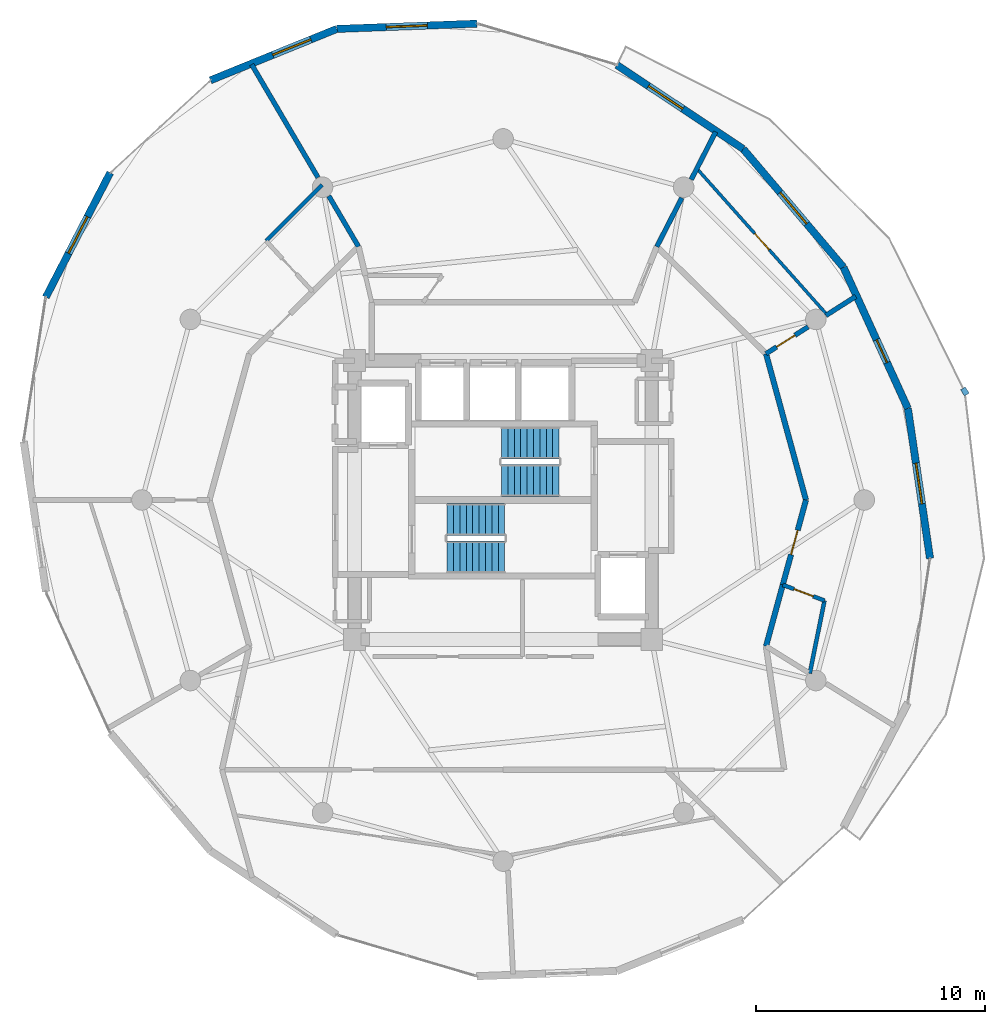
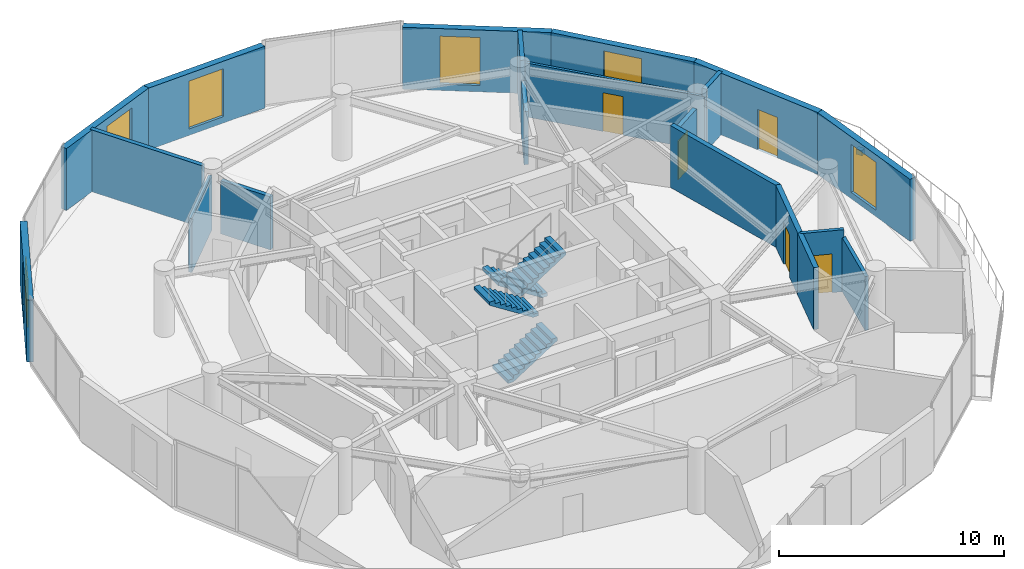
# One storey, part 21 of 24: 20 walls, 6 windows, 5 doors, 4 stair flights, 1 discrete accessory, 11 openings, 2 elements without a shape of their own.
"""IFC4 building model written with IfcOpenShell, lengths in metres."""

from ifc_helpers import new_model, si_unit, direction, frame, frame_2d, origin, origin_2d, place, context, subcontext, project, spatial, polyline, rectangle, outline, extrude, material, layer, layer_set, type_object, element, fill, aggregate, save


model = new_model("IFC4")

# Units and contexts
model_context = context("Model", 3, precision=1e-05, world=origin(), true_north=direction((0.0, 1.0)))
body_context = subcontext(model_context, "Body", "Model", "MODEL_VIEW")
ifc_project = project(units=[si_unit("LENGTHUNIT", "METRE"), si_unit("AREAUNIT", "SQUARE_METRE"), si_unit("VOLUMEUNIT", "CUBIC_METRE"), si_unit("PLANEANGLEUNIT", "RADIAN"), si_unit("MASSUNIT", "GRAM", prefix="KILO")], contexts=[model_context])

# Site, building, storey
site_placement = place(None, origin())
site = spatial("IfcSite", under=ifc_project, at=site_placement, CompositionType="ELEMENT")
building_placement = place(site_placement, origin())
building = spatial("IfcBuilding", under=site, at=building_placement, Name="Solvirekh Grand Hotel", CompositionType="ELEMENT")
storey_placement = place(building_placement, frame((0.0, 0.0, 184.0)))
storey = spatial("IfcBuildingStorey", under=building, at=storey_placement, Name="L47", CompositionType="ELEMENT", Elevation=184.0)

# Wall, opening, window
ifc_material_1 = material(Name="Precast concrete C45/55", Category="concrete")
ifc_layer_1 = layer(ifc_material_1, 0.320068359375)
ifc_layer_set_1 = layer_set([ifc_layer_1], Name="Precast concrete C45/55")
wall_type_1 = type_object("IfcWallType", Name="ExtLobbyWall_RC320", PredefinedType="SOLIDWALL", material=ifc_layer_set_1)
wall_1_placement = place(storey_placement, frame((17.7080078125, 4.008056640625, 0.0), z_axis=(0.0, 0.0, 1.0), x_axis=(0.146280717265, -0.989243120652, 0.0)))
wall_1 = element("IfcWall", 1, at=wall_1_placement, inside=storey, type_object=wall_type_1, Name="L47 exterior structural wall chord 4", PredefinedType="SOLIDWALL", context=body_context, shape_type="SweptSolid", body=[
    extrude(rectangle(XDim=6.637451171875, YDim=0.320068359375, at=frame_2d((3.31884765625, 0.0))), origin(), (0.0, 0.0, 1.0), 3.360107421875),
])
opening_1_placement = place(wall_1_placement, frame((2.4189453125, 0.0, 0.35009765625)))
opening_1 = element("IfcOpeningElement", 2, at=opening_1_placement, cuts=wall_1, Name="Opening W02", PredefinedType="OPENING", context=body_context, shape_type="SweptSolid", body=[
    extrude(rectangle(XDim=1.800048828125, YDim=2.60009765625, at=frame_2d((0.89990234375, 1.300048828125))), frame((0.0, 0.169921875, 0.0), z_axis=(0.0, -1.0, 0.0), x_axis=(1.0, 0.0, 0.0)), (0.0, 0.0, 1.0), 0.340087890625),
])
ifc_material_2 = material(Name="Low-E Tinted Bronze Laminated Glass", Category="aluminium")
window_type = type_object("IfcWindowType", Name="Win_LobbyExt_1800X2600", PartitioningType="SINGLE_PANEL", PredefinedType="WINDOW", material=ifc_material_2)
window_1_placement = place(opening_1_placement, origin())
window_1 = element("IfcWindow", 3, at=window_1_placement, inside=storey, type_object=window_type, Name="L47 panoramic bronze-framed window 4", OverallHeight=2.60009765625, OverallWidth=1.800048828125, PartitioningType="SINGLE_PANEL", PredefinedType="WINDOW", context=body_context, shape_type="SweptSolid", body=[
    extrude(rectangle(XDim=1.800048828125, YDim=2.60009765625, at=frame_2d((0.89990234375, 1.300048828125))), frame((0.0, 0.030029296875, 0.0), z_axis=(0.0, -1.0, 0.0), x_axis=(1.0, 0.0, 0.0)), (0.0, 0.0, 1.0), 0.06005859375),
])
fill(opening_1, window_1)

# Wall, opening, door
wall_2_placement = place(storey_placement, frame((14.89208984375, 10.180908203125, 0.0), z_axis=(0.0, 0.0, 1.0), x_axis=(0.415033398102, -0.909806176314, 0.0)))
wall_2 = element("IfcWall", 4, at=wall_2_placement, inside=storey, type_object=wall_type_1, Name="L47 exterior structural wall chord 5", PredefinedType="SOLIDWALL", context=body_context, shape_type="SweptSolid", body=[
    extrude(rectangle(XDim=6.784912109375, YDim=0.320068359375, at=frame_2d((3.392578125, 0.0))), origin(), (0.0, 0.0, 1.0), 3.360107421875),
])
opening_2_placement = place(wall_2_placement, frame((3.48291015625, 0.0, 0.0)))
opening_2 = element("IfcOpeningElement", 5, at=opening_2_placement, cuts=wall_2, Name="Opening D03", PredefinedType="OPENING", context=body_context, shape_type="SweptSolid", body=[
    extrude(rectangle(XDim=1.10009765625, YDim=2.199951171875, at=frame_2d((0.550048828125, 1.10009765625))), frame((0.0, 0.169921875, 0.0), z_axis=(0.0, -1.0, 0.0), x_axis=(1.0, 0.0, 0.0)), (0.0, 0.0, 1.0), 0.340087890625),
])
ifc_material_3 = material(Name="Anodized Bronze Aluminium 6063-T6", Category="aluminium")
door_type_1 = type_object("IfcDoorType", Name="Door_ExtBalcony_1100X2200", OperationType="NOTDEFINED", PredefinedType="DOOR", material=ifc_material_3)
door_1_placement = place(opening_2_placement, origin())
door_1 = element("IfcDoor", 6, at=door_1_placement, inside=storey, type_object=door_type_1, Name="L47 Crescent balcony glazed door (5)", OperationType="SINGLE_SWING_LEFT", OverallHeight=2.199951171875, OverallWidth=1.10009765625, PredefinedType="DOOR", context=body_context, shape_type="SweptSolid", body=[
    extrude(rectangle(XDim=1.10009765625, YDim=2.199951171875, at=frame_2d((0.550048828125, 1.10009765625))), frame((0.0, 0.02490234375, 0.0), z_axis=(0.0, -1.0, 0.0), x_axis=(1.0, 0.0, 0.0)), (0.0, 0.0, 1.0), 0.050048828125),
])
fill(opening_2, door_1)

# Wall, opening, window
wall_3_placement = place(storey_placement, frame((10.506103515625, 15.35693359375, 0.0), z_axis=(0.0, 0.0, 1.0), x_axis=(0.646480871515, -0.762930195212, 0.0)))
wall_3 = element("IfcWall", 7, at=wall_3_placement, inside=storey, type_object=wall_type_1, Name="L47 exterior structural wall chord 6", PredefinedType="SOLIDWALL", context=body_context, shape_type="SweptSolid", body=[
    extrude(rectangle(XDim=6.784423828125, YDim=0.320068359375, at=frame_2d((3.39208984375, 0.0))), origin(), (0.0, 0.0, 1.0), 3.360107421875),
])
opening_3_placement = place(wall_3_placement, frame((2.491943359375, 0.0, 0.35009765625)))
opening_3 = element("IfcOpeningElement", 8, at=opening_3_placement, cuts=wall_3, Name="Opening W02", PredefinedType="OPENING", context=body_context, shape_type="SweptSolid", body=[
    extrude(rectangle(XDim=1.800048828125, YDim=2.60009765625, at=frame_2d((0.89990234375, 1.300048828125))), frame((0.0, 0.169921875, 0.0), z_axis=(0.0, -1.0, 0.0), x_axis=(1.0, 0.0, 0.0)), (0.0, 0.0, 1.0), 0.340087890625),
])
window_2_placement = place(opening_3_placement, origin())
window_2 = element("IfcWindow", 9, at=window_2_placement, inside=storey, type_object=window_type, Name="L47 panoramic bronze-framed window 6", OverallHeight=2.60009765625, OverallWidth=1.800048828125, PartitioningType="SINGLE_PANEL", PredefinedType="WINDOW", context=body_context, shape_type="SweptSolid", body=[
    extrude(rectangle(XDim=1.800048828125, YDim=2.60009765625, at=frame_2d((0.89990234375, 1.300048828125))), frame((0.0, 0.030029296875, 0.0), z_axis=(0.0, -1.0, 0.0), x_axis=(1.0, 0.0, 0.0)), (0.0, 0.0, 1.0), 0.06005859375),
])
fill(opening_3, window_2)

wall_4_placement = place(storey_placement, frame((4.97802734375, 19.031005859375, 0.0), z_axis=(0.0, 0.0, 1.0), x_axis=(0.832836009007, -0.553519811842, 0.0)))
wall_4 = element("IfcWall", 10, at=wall_4_placement, inside=storey, type_object=wall_type_1, Name="L47 exterior structural wall chord 7", PredefinedType="SOLIDWALL", context=body_context, shape_type="SweptSolid", body=[
    extrude(rectangle(XDim=6.6376953125, YDim=0.320068359375, at=frame_2d((3.31884765625, 0.0))), origin(), (0.0, 0.0, 1.0), 3.360107421875),
])
opening_4_placement = place(wall_4_placement, frame((1.658935546875, 0.0, 0.35009765625)))
opening_4 = element("IfcOpeningElement", 11, at=opening_4_placement, cuts=wall_4, Name="Opening W02", PredefinedType="OPENING", context=body_context, shape_type="SweptSolid", body=[
    extrude(rectangle(XDim=1.800048828125, YDim=2.60009765625, at=frame_2d((0.89990234375, 1.300048828125))), frame((0.0, 0.169921875, 0.0), z_axis=(0.0, -1.0, 0.0), x_axis=(1.0, 0.0, 0.0)), (0.0, 0.0, 1.0), 0.340087890625),
])
window_3_placement = place(opening_4_placement, origin())
window_3 = element("IfcWindow", 12, at=window_3_placement, inside=storey, type_object=window_type, Name="L47 panoramic bronze-framed window 7", OverallHeight=2.60009765625, OverallWidth=1.800048828125, PartitioningType="SINGLE_PANEL", PredefinedType="WINDOW", context=body_context, shape_type="SweptSolid", body=[
    extrude(rectangle(XDim=1.800048828125, YDim=2.60009765625, at=frame_2d((0.89990234375, 1.300048828125))), frame((0.0, 0.030029296875, 0.0), z_axis=(0.0, -1.0, 0.0), x_axis=(1.0, 0.0, 0.0)), (0.0, 0.0, 1.0), 0.06005859375),
])
fill(opening_4, window_3)

wall_5_placement = place(storey_placement, frame((-7.277099609375, 20.611083984375, 0.0), z_axis=(0.0, 0.0, 1.0), x_axis=(0.999296553101, 0.037501986097, 0.0)))
wall_5 = element("IfcWall", 13, at=wall_5_placement, inside=storey, type_object=wall_type_1, Name="L47 exterior structural wall chord 9", PredefinedType="SOLIDWALL", context=body_context, shape_type="SweptSolid", body=[
    extrude(rectangle(XDim=6.132568359375, YDim=0.320068359375, at=frame_2d((3.06640625, 0.0))), origin(), (0.0, 0.0, 1.0), 3.360107421875),
])
opening_5_placement = place(wall_5_placement, frame((2.166015625, 0.0, 0.35009765625)))
opening_5 = element("IfcOpeningElement", 14, at=opening_5_placement, cuts=wall_5, Name="Opening W02", PredefinedType="OPENING", context=body_context, shape_type="SweptSolid", body=[
    extrude(rectangle(XDim=1.800048828125, YDim=2.60009765625, at=frame_2d((0.89990234375, 1.300048828125))), frame((0.0, 0.169921875, 0.0), z_axis=(0.0, -1.0, 0.0), x_axis=(1.0, 0.0, 0.0)), (0.0, 0.0, 1.0), 0.340087890625),
])
window_4_placement = place(opening_5_placement, origin())
window_4 = element("IfcWindow", 15, at=window_4_placement, inside=storey, type_object=window_type, Name="L47 panoramic bronze-framed window 9", OverallHeight=2.60009765625, OverallWidth=1.800048828125, PartitioningType="SINGLE_PANEL", PredefinedType="WINDOW", context=body_context, shape_type="SweptSolid", body=[
    extrude(rectangle(XDim=1.800048828125, YDim=2.60009765625, at=frame_2d((0.89990234375, 1.300048828125))), frame((0.0, 0.030029296875, 0.0), z_axis=(0.0, -1.0, 0.0), x_axis=(1.0, 0.0, 0.0)), (0.0, 0.0, 1.0), 0.06005859375),
])
fill(opening_5, window_4)

wall_6_placement = place(storey_placement, frame((-12.803955078125, 18.364013671875, 0.0), z_axis=(0.0, 0.0, 1.0), x_axis=(0.926362198949, 0.376633875745, 0.0)))
wall_6 = element("IfcWall", 16, at=wall_6_placement, inside=storey, type_object=wall_type_1, Name="L47 exterior structural wall chord 10", PredefinedType="SOLIDWALL", context=body_context, shape_type="SweptSolid", body=[
    extrude(rectangle(XDim=5.96630859375, YDim=0.320068359375, at=frame_2d((2.983154296875, 0.0))), origin(), (0.0, 0.0, 1.0), 3.360107421875),
])
opening_6_placement = place(wall_6_placement, frame((2.94189453125, 0.0, 0.35009765625)))
opening_6 = element("IfcOpeningElement", 17, at=opening_6_placement, cuts=wall_6, Name="Opening W02", PredefinedType="OPENING", context=body_context, shape_type="SweptSolid", body=[
    extrude(rectangle(XDim=1.800048828125, YDim=2.60009765625, at=frame_2d((0.89990234375, 1.300048828125))), frame((0.0, 0.169921875, 0.0), z_axis=(0.0, -1.0, 0.0), x_axis=(1.0, 0.0, 0.0)), (0.0, 0.0, 1.0), 0.340087890625),
])
window_5_placement = place(opening_6_placement, origin())
window_5 = element("IfcWindow", 18, at=window_5_placement, inside=storey, type_object=window_type, Name="L47 panoramic bronze-framed window 10", OverallHeight=2.60009765625, OverallWidth=1.800048828125, PartitioningType="SINGLE_PANEL", PredefinedType="WINDOW", context=body_context, shape_type="SweptSolid", body=[
    extrude(rectangle(XDim=1.800048828125, YDim=2.60009765625, at=frame_2d((0.89990234375, 1.300048828125))), frame((0.0, 0.030029296875, 0.0), z_axis=(0.0, -1.0, 0.0), x_axis=(1.0, 0.0, 0.0)), (0.0, 0.0, 1.0), 0.06005859375),
])
fill(opening_6, window_5)

wall_7_placement = place(storey_placement, frame((-20.008056640625, 8.873046875, 0.0), z_axis=(0.0, 0.0, 1.0), x_axis=(0.459451082053, 0.888203075428, 0.0)))
wall_7 = element("IfcWall", 19, at=wall_7_placement, inside=storey, type_object=wall_type_1, Name="L47 exterior structural wall chord 12", PredefinedType="SOLIDWALL", context=body_context, shape_type="SweptSolid", body=[
    extrude(rectangle(XDim=6.131591796875, YDim=0.320068359375, at=frame_2d((3.06591796875, 0.0))), origin(), (0.0, 0.0, 1.0), 3.360107421875),
])
opening_7_placement = place(wall_7_placement, frame((2.166015625, 0.0, 0.35009765625)))
opening_7 = element("IfcOpeningElement", 20, at=opening_7_placement, cuts=wall_7, Name="Opening W02", PredefinedType="OPENING", context=body_context, shape_type="SweptSolid", body=[
    extrude(rectangle(XDim=1.800048828125, YDim=2.60009765625, at=frame_2d((0.89990234375, 1.300048828125))), frame((0.0, 0.169921875, 0.0), z_axis=(0.0, -1.0, 0.0), x_axis=(1.0, 0.0, 0.0)), (0.0, 0.0, 1.0), 0.340087890625),
])
window_6_placement = place(opening_7_placement, origin())
window_6 = element("IfcWindow", 21, at=window_6_placement, inside=storey, type_object=window_type, Name="L47 panoramic bronze-framed window 12", OverallHeight=2.60009765625, OverallWidth=1.800048828125, PartitioningType="SINGLE_PANEL", PredefinedType="WINDOW", context=body_context, shape_type="SweptSolid", body=[
    extrude(rectangle(XDim=1.800048828125, YDim=2.60009765625, at=frame_2d((0.89990234375, 1.300048828125))), frame((0.0, 0.030029296875, 0.0), z_axis=(0.0, -1.0, 0.0), x_axis=(1.0, 0.0, 0.0)), (0.0, 0.0, 1.0), 0.06005859375),
])
fill(opening_7, window_6)

# Walls
ifc_material_4 = material(Name="Acoustic Gypsum Partition Assembly")
ifc_layer_2 = layer(ifc_material_4, 0.239990234375)
ifc_layer_set_2 = layer_set([ifc_layer_2], Name="Acoustic Gypsum Partition Assembly")
wall_type_2 = type_object("IfcWallType", Name="Part_Corridor_240", PredefinedType="PARTITIONING", material=ifc_layer_set_2)
wall_8_placement = place(storey_placement, frame((11.501953125, -6.39990234375, 0.0), z_axis=(0.0, 0.0, 1.0), x_axis=(0.263465836707, 0.964668727019, 0.0)))
element("IfcWall", 22, at=wall_8_placement, inside=storey, type_object=wall_type_2, Name="L47 En-suite Bathroom 4903 corridor backing wall", PredefinedType="PARTITIONING", context=body_context, shape_type="SweptSolid", body=[
    extrude(rectangle(XDim=2.786376953125, YDim=0.239990234375, at=frame_2d((1.39306640625, 0.0))), origin(), (0.0, 0.0, 1.0), 3.360107421875),
])
wall_9_placement = place(storey_placement, frame((13.25, 0.0, 0.0), z_axis=(0.0, 0.0, 1.0), x_axis=(-0.263484816116, 0.96466354325, 0.0)))
element("IfcWall", 23, at=wall_9_placement, inside=storey, type_object=wall_type_2, Name="L47 Diplomatic Suite 4903 Living Room corridor wall 1", PredefinedType="PARTITIONING", context=body_context, shape_type="SweptSolid", body=[
    extrude(rectangle(XDim=6.63427734375, YDim=0.239990234375, at=frame_2d((3.317138671875, 0.0))), origin(), (0.0, 0.0, 1.0), 3.360107421875),
])

# Wall, opening, door
wall_10_placement = place(storey_placement, frame((12.236083984375, -3.7119140625, 0.0), z_axis=(0.0, 0.0, 1.0), x_axis=(0.263498559894, 0.964659789218, 0.0)))
wall_10 = element("IfcWall", 24, at=wall_10_placement, inside=storey, type_object=wall_type_2, Name="L47 Diplomatic Suite 4903 Living Room entrance wall", PredefinedType="PARTITIONING", context=body_context, shape_type="SweptSolid", body=[
    extrude(rectangle(XDim=3.847900390625, YDim=0.239990234375, at=frame_2d((1.923828125, 0.0))), origin(), (0.0, 0.0, 1.0), 3.360107421875),
])
opening_8_placement = place(wall_10_placement, frame((1.3740234375, 0.0, 0.0)))
opening_8 = element("IfcOpeningElement", 25, at=opening_8_placement, cuts=wall_10, Name="Opening D08", PredefinedType="OPENING", context=body_context, shape_type="SweptSolid", body=[
    extrude(rectangle(XDim=1.10009765625, YDim=2.300048828125, at=frame_2d((0.550048828125, 1.14990234375))), frame((0.0, 0.1298828125, 0.0), z_axis=(0.0, -1.0, 0.0), x_axis=(1.0, 0.0, 0.0)), (0.0, 0.0, 1.0), 0.260009765625),
])
ifc_material_5 = material(Name="Fire-Rated Steel Door Assembly", Category="steel")
door_type_2 = type_object("IfcDoorType", Name="Door_SuiteEntry_1100X2300", OperationType="NOTDEFINED", PredefinedType="DOOR", material=ifc_material_5)
door_2_placement = place(opening_8_placement, origin())
door_2 = element("IfcDoor", 26, at=door_2_placement, inside=storey, type_object=door_type_2, Name="L47 Diplomatic Suite 4903 Living Room entrance door", OperationType="SINGLE_SWING_RIGHT", OverallHeight=2.300048828125, OverallWidth=1.10009765625, PredefinedType="DOOR", context=body_context, shape_type="SweptSolid", body=[
    extrude(rectangle(XDim=1.10009765625, YDim=2.300048828125, at=frame_2d((0.550048828125, 1.14990234375))), frame((0.0, 0.02490234375, 0.0), z_axis=(0.0, -1.0, 0.0), x_axis=(1.0, 0.0, 0.0)), (0.0, 0.0, 1.0), 0.050048828125),
])
fill(opening_8, door_2)

ifc_layer_3 = layer(ifc_material_4, 0.135009765625)
ifc_layer_set_3 = layer_set([ifc_layer_3], Name="Acoustic Gypsum Partition Assembly")
wall_type_3 = type_object("IfcWallType", Name="Part_RoomInt_135", PredefinedType="PARTITIONING", material=ifc_layer_set_3)
wall_11_placement = place(storey_placement, frame((14.172119140625, 8.10498046875, 0.0), z_axis=(0.0, 0.0, 1.0), x_axis=(-0.664942198266, 0.74689482055, 0.0)))
wall_11 = element("IfcWall", 27, at=wall_11_placement, inside=storey, type_object=wall_type_3, Name="L47 Diplomatic Suite 4903 Suite Foyer bedroom screen wall", PredefinedType="PARTITIONING", context=body_context, shape_type="SweptSolid", body=[
    extrude(rectangle(XDim=8.564697265625, YDim=0.135009765625, at=frame_2d((4.2822265625, 0.0))), origin(), (0.0, 0.0, 1.0), 2.928955078125),
])
opening_9_placement = place(wall_11_placement, frame((3.806884765625, 0.0, 0.0)))
opening_9 = element("IfcOpeningElement", 28, at=opening_9_placement, cuts=wall_11, Name="Opening D10", PredefinedType="OPENING", context=body_context, shape_type="SweptSolid", body=[
    extrude(rectangle(XDim=0.949951171875, YDim=2.10009765625, at=frame_2d((0.47509765625, 1.050048828125))), frame((0.0, 0.07763671875, 0.0), z_axis=(0.0, -1.0, 0.0), x_axis=(1.0, 0.0, 0.0)), (0.0, 0.0, 1.0), 0.155029296875),
])
door_type_3 = type_object("IfcDoorType", Name="Door_RoomInt_950X2100", OperationType="NOTDEFINED", PredefinedType="DOOR", material=ifc_material_3)
door_3_placement = place(opening_9_placement, origin())
door_3 = element("IfcDoor", 29, at=door_3_placement, inside=storey, type_object=door_type_3, Name="L47 Diplomatic Suite 4903 Suite Foyer master bedroom door", OperationType="SINGLE_SWING_RIGHT", OverallHeight=2.10009765625, OverallWidth=0.949951171875, PredefinedType="DOOR", context=body_context, shape_type="SweptSolid", body=[
    extrude(rectangle(XDim=0.949951171875, YDim=2.10009765625, at=frame_2d((0.47509765625, 1.050048828125))), frame((0.0, 0.02490234375, 0.0), z_axis=(0.0, -1.0, 0.0), x_axis=(1.0, 0.0, 0.0)), (0.0, 0.0, 1.0), 0.050048828125),
])
fill(opening_9, door_3)

ifc_layer_4 = layer(ifc_material_4, 0.2099609375)
ifc_layer_set_4 = layer_set([ifc_layer_4], Name="Acoustic Gypsum Partition Assembly")
wall_type_4 = type_object("IfcWallType", Name="Part_SuiteDemise_210", PredefinedType="PARTITIONING", material=ifc_layer_set_4)
wall_12_placement = place(storey_placement, frame((11.501953125, 6.39990234375, 0.0), z_axis=(0.0, 0.0, 1.0), x_axis=(0.842739917801, 0.538320936752, 0.0)))
wall_12 = element("IfcWall", 30, at=wall_12_placement, inside=storey, type_object=wall_type_4, Name="L47 suite radial wall 2 (A)", PredefinedType="PARTITIONING", context=body_context, shape_type="SweptSolid", body=[
    extrude(rectangle(XDim=2.1845703125, YDim=0.2099609375, at=frame_2d((1.09228515625, 0.0))), origin(), (0.0, 0.0, 1.0), 2.876953125),
])
opening_10_placement = place(wall_12_placement, frame((0.550048828125, 0.0, 0.0)))
opening_10 = element("IfcOpeningElement", 31, at=opening_10_placement, cuts=wall_12, Name="Opening D10", PredefinedType="OPENING", context=body_context, shape_type="SweptSolid", body=[
    extrude(rectangle(XDim=0.949951171875, YDim=2.10009765625, at=frame_2d((0.47509765625, 1.050048828125))), frame((0.0, 0.114990234375, 0.0), z_axis=(0.0, -1.0, 0.0), x_axis=(1.0, 0.0, 0.0)), (0.0, 0.0, 1.0), 0.22998046875),
])
door_4_placement = place(opening_10_placement, origin())
door_4 = element("IfcDoor", 32, at=door_4_placement, inside=storey, type_object=door_type_3, Name="L47 Diplomatic Suite 4903 Suite Foyer suite connecting door", OperationType="SINGLE_SWING_LEFT", OverallHeight=2.10009765625, OverallWidth=0.949951171875, PredefinedType="DOOR", context=body_context, shape_type="SweptSolid", body=[
    extrude(rectangle(XDim=0.949951171875, YDim=2.10009765625, at=frame_2d((0.47509765625, 1.050048828125))), frame((0.0, 0.02490234375, 0.0), z_axis=(0.0, -1.0, 0.0), x_axis=(1.0, 0.0, 0.0)), (0.0, 0.0, 1.0), 0.050048828125),
])
fill(opening_10, door_4)

# Walls
wall_13_placement = place(storey_placement, frame((14.1201171875, 8.072021484375, 0.0), z_axis=(0.0, 0.0, 1.0), x_axis=(0.84277351824, 0.538268331739, 0.0)))
element("IfcWall", 33, at=wall_13_placement, inside=storey, type_object=wall_type_4, Name="L47 suite radial wall 2 (B)", PredefinedType="PARTITIONING", context=body_context, shape_type="SweptSolid", body=[
    extrude(rectangle(XDim=1.552978515625, YDim=0.2099609375, at=frame_2d((0.7763671875, 0.0))), origin(), (0.0, 0.0, 1.0), 3.360107421875),
])
wall_14_placement = place(storey_placement, frame((6.72509765625, 11.0849609375, 0.0), z_axis=(0.0, 0.0, 1.0), x_axis=(0.456025303107, 0.889966810014, 0.0)))
element("IfcWall", 34, at=wall_14_placement, inside=storey, type_object=wall_type_4, Name="L47 suite radial wall 3 (A)", PredefinedType="PARTITIONING", context=body_context, shape_type="SweptSolid", body=[
    extrude(rectangle(XDim=2.39892578125, YDim=0.2099609375, at=frame_2d((1.199462890625, 0.0))), origin(), (0.0, 0.0, 1.0), 2.876953125),
])
wall_15_placement = place(storey_placement, frame((8.22900390625, 14.01904296875, 0.0), z_axis=(0.0, 0.0, 1.0), x_axis=(0.456209070118, 0.889872622538, 0.0)))
element("IfcWall", 35, at=wall_15_placement, inside=storey, type_object=wall_type_4, Name="L47 suite radial wall 3 (B)", PredefinedType="PARTITIONING", context=body_context, shape_type="SweptSolid", body=[
    extrude(rectangle(XDim=2.349853515625, YDim=0.2099609375, at=frame_2d((1.1748046875, 0.0))), origin(), (0.0, 0.0, 1.0), 3.360107421875),
])
wall_16_placement = place(storey_placement, frame((-6.324951171875, 11.0849609375, 0.0), z_axis=(0.0, 0.0, 1.0), x_axis=(-0.506285052897, 0.862366189744, 0.0)))
element("IfcWall", 36, at=wall_16_placement, inside=storey, type_object=wall_type_4, Name="L47 suite radial wall 5 (A)", PredefinedType="PARTITIONING", context=body_context, shape_type="SweptSolid", body=[
    extrude(rectangle(XDim=2.56982421875, YDim=0.2099609375, at=frame_2d((1.284912109375, 0.0))), origin(), (0.0, 0.0, 1.0), 2.876953125),
])
wall_17_placement = place(storey_placement, frame((-8.09912109375, 14.10888671875, 0.0), z_axis=(0.0, 0.0, 1.0), x_axis=(-0.506111753197, 0.862467908548, 0.0)))
element("IfcWall", 37, at=wall_17_placement, inside=storey, type_object=wall_type_4, Name="L47 suite radial wall 5 (B)", PredefinedType="PARTITIONING", context=body_context, shape_type="SweptSolid", body=[
    extrude(rectangle(XDim=5.733642578125, YDim=0.2099609375, at=frame_2d((2.86669921875, 0.0))), origin(), (0.0, 0.0, 1.0), 3.360107421875),
])
ifc_layer_5 = layer(ifc_material_4, 0.175048828125)
ifc_layer_set_5 = layer_set([ifc_layer_5], Name="Acoustic Gypsum Partition Assembly")
wall_type_5 = type_object("IfcWallType", Name="Plumb_Ensuite_175", PredefinedType="PLUMBINGWALL", material=ifc_layer_set_5)
wall_18_placement = place(storey_placement, frame((-7.9150390625, 13.7939453125, 0.0), z_axis=(0.0, 0.0, 1.0), x_axis=(-0.70594646808, -0.708265193416, 0.0)))
element("IfcWall", 38, at=wall_18_placement, inside=storey, type_object=wall_type_5, Name="L47 En-suite Bathroom 4902 outer plumbing wall", PredefinedType="PLUMBINGWALL", context=body_context, shape_type="SweptSolid", body=[
    extrude(rectangle(XDim=3.474609375, YDim=0.175048828125, at=frame_2d((1.7373046875, 0.0))), origin(), (0.0, 0.0, 1.0), 2.928955078125),
])
wall_19_placement = place(storey_placement, frame((13.4169921875, -7.587890625, 0.0), z_axis=(0.0, 0.0, 1.0), x_axis=(0.198368094192, 0.98012759333, 0.0)))
element("IfcWall", 39, at=wall_19_placement, inside=storey, type_object=wall_type_5, Name="L47 En-suite Bathroom 4903 outer plumbing wall", PredefinedType="PLUMBINGWALL", context=body_context, shape_type="SweptSolid", body=[
    extrude(rectangle(XDim=3.251708984375, YDim=0.175048828125, at=frame_2d((1.6259765625, 0.0))), origin(), (0.0, 0.0, 1.0), 2.928955078125),
])

# Wall, opening, door
wall_20_placement = place(storey_placement, frame((12.236083984375, -3.7119140625, 0.0), z_axis=(0.0, 0.0, 1.0), x_axis=(0.935612633934, -0.353028326375, 0.0)))
wall_20 = element("IfcWall", 40, at=wall_20_placement, inside=storey, type_object=wall_type_5, Name="L47 En-suite Bathroom 4903 entry plumbing wall", PredefinedType="PLUMBINGWALL", context=body_context, shape_type="SweptSolid", body=[
    extrude(rectangle(XDim=1.95166015625, YDim=0.175048828125, at=frame_2d((0.975830078125, 0.0))), origin(), (0.0, 0.0, 1.0), 3.360107421875),
])
opening_11_placement = place(wall_20_placement, frame((0.52587890625, 0.0, 0.0)))
opening_11 = element("IfcOpeningElement", 41, at=opening_11_placement, cuts=wall_20, Name="Opening D09", PredefinedType="OPENING", context=body_context, shape_type="SweptSolid", body=[
    extrude(rectangle(XDim=0.89990234375, YDim=2.10009765625, at=frame_2d((0.449951171875, 1.050048828125))), frame((0.0, 0.09765625, 0.0), z_axis=(0.0, -1.0, 0.0), x_axis=(1.0, 0.0, 0.0)), (0.0, 0.0, 1.0), 0.195068359375),
])
door_type_4 = type_object("IfcDoorType", Name="Door_Ensuite_900X2100", OperationType="NOTDEFINED", PredefinedType="DOOR", material=ifc_material_3)
door_5_placement = place(opening_11_placement, origin())
door_5 = element("IfcDoor", 42, at=door_5_placement, inside=storey, type_object=door_type_4, Name="L47 En-suite Bathroom 4903 door", OperationType="SINGLE_SWING_LEFT", OverallHeight=2.10009765625, OverallWidth=0.89990234375, PredefinedType="DOOR", context=body_context, shape_type="SweptSolid", body=[
    extrude(rectangle(XDim=0.89990234375, YDim=2.10009765625, at=frame_2d((0.449951171875, 1.050048828125))), frame((0.0, 0.02490234375, 0.0), z_axis=(0.0, -1.0, 0.0), x_axis=(1.0, 0.0, 0.0)), (0.0, 0.0, 1.0), 0.050048828125),
])
fill(opening_11, door_5)

# Stair, stair flights
ifc_material_6 = material(Name="Concrete C40/50", Category="concrete")
stair_type = type_object("IfcStairType", Name="Stair_Core_1450", PredefinedType="HALF_TURN_STAIR", material=ifc_material_6)
stair_1_placement = place(storey_placement, origin())
stair_1 = element("IfcStair", 43, at=stair_1_placement, inside=storey, type_object=stair_type, Name="L47 Enclosed exit stair ST-1", PredefinedType="HALF_TURN_STAIR")
stair_flight_type = type_object("IfcStairFlightType", Name="Flight_Core_1450", PredefinedType="STRAIGHT", material=ifc_material_6)
stair_flight_1_placement = place(storey_placement, frame((-2.449951171875, -2.5, 0.0), z_axis=(0.0, 0.0, 1.0), x_axis=(1.0, 0.0, 0.0)))
stair_flight_1 = element("IfcStairFlight", 44, at=stair_flight_1_placement, type_object=stair_flight_type, Name="ST-1 flight 1", NumberOfRisers=10, NumberOfTreads=9, PredefinedType="STRAIGHT", RiserHeight=0.18, TreadLength=0.28, context=body_context, shape_type="SweptSolid", body=[
    extrude(outline(polyline([(0.0, 0.0), (0.0, 0.179931640625), (0.280029296875, 0.179931640625), (0.280029296875, 0.360107421875), (0.56005859375, 0.360107421875), (0.56005859375, 0.5400390625), (0.840087890625, 0.5400390625), (0.840087890625, 0.719970703125), (1.1201171875, 0.719970703125), (1.1201171875, 0.89990234375), (1.39990234375, 0.89990234375), (1.39990234375, 1.080078125), (1.679931640625, 1.080078125), (1.679931640625, 1.260009765625), (1.9599609375, 1.260009765625), (1.9599609375, 1.43994140625), (2.239990234375, 1.43994140625), (2.239990234375, 1.6201171875), (2.52001953125, 1.6201171875), (2.52001953125, 1.800048828125), (2.52001953125, 1.44189453125), (0.277099609375, 0.0), (0.0, 0.0)])), frame((0.0, 0.699951171875, 0.0), z_axis=(0.0, -1.0, 0.0), x_axis=(1.0, 0.0, 0.0)), (0.0, 0.0, 1.0), 1.39990234375),
])
stair_flight_2_placement = place(storey_placement, frame((0.070068359375, -0.85009765625, 1.800048828125), z_axis=(0.0, 0.0, 1.0), x_axis=(-1.0, 0.0, 0.0)))
stair_flight_2 = element("IfcStairFlight", 45, at=stair_flight_2_placement, type_object=stair_flight_type, Name="ST-1 flight 2", NumberOfRisers=10, NumberOfTreads=9, PredefinedType="STRAIGHT", RiserHeight=0.18, TreadLength=0.28, context=body_context, shape_type="SweptSolid", body=[
    extrude(outline(polyline([(0.0, 0.0), (0.0, 0.179931640625), (0.280029296875, 0.179931640625), (0.280029296875, 0.360107421875), (0.56005859375, 0.360107421875), (0.56005859375, 0.5400390625), (0.840087890625, 0.5400390625), (0.840087890625, 0.719970703125), (1.1201171875, 0.719970703125), (1.1201171875, 0.89990234375), (1.39990234375, 0.89990234375), (1.39990234375, 1.080078125), (1.679931640625, 1.080078125), (1.679931640625, 1.260009765625), (1.9599609375, 1.260009765625), (1.9599609375, 1.43994140625), (2.239990234375, 1.43994140625), (2.239990234375, 1.6201171875), (2.52001953125, 1.6201171875), (2.52001953125, 1.800048828125), (2.52001953125, 1.44189453125), (0.277099609375, 0.0), (0.0, 0.0)])), frame((0.0, 0.699951171875, 0.0), z_axis=(0.0, -1.0, 0.0), x_axis=(1.0, 0.0, 0.0)), (0.0, 0.0, 1.0), 1.39990234375),
])
aggregate(stair_1, [stair_flight_1, stair_flight_2])

stair_2_placement = place(storey_placement, origin())
stair_2 = element("IfcStair", 46, at=stair_2_placement, inside=storey, type_object=stair_type, Name="L47 Enclosed exit stair ST-2", PredefinedType="HALF_TURN_STAIR")
stair_flight_3_placement = place(storey_placement, frame((2.449951171875, 2.5, 0.0), z_axis=(0.0, 0.0, 1.0), x_axis=(-1.0, 0.0, 0.0)))
stair_flight_3 = element("IfcStairFlight", 47, at=stair_flight_3_placement, type_object=stair_flight_type, Name="ST-2 flight 1", NumberOfRisers=10, NumberOfTreads=9, PredefinedType="STRAIGHT", RiserHeight=0.18, TreadLength=0.28, context=body_context, shape_type="SweptSolid", body=[
    extrude(outline(polyline([(0.0, 0.0), (0.0, 0.179931640625), (0.280029296875, 0.179931640625), (0.280029296875, 0.360107421875), (0.56005859375, 0.360107421875), (0.56005859375, 0.5400390625), (0.840087890625, 0.5400390625), (0.840087890625, 0.719970703125), (1.1201171875, 0.719970703125), (1.1201171875, 0.89990234375), (1.39990234375, 0.89990234375), (1.39990234375, 1.080078125), (1.679931640625, 1.080078125), (1.679931640625, 1.260009765625), (1.9599609375, 1.260009765625), (1.9599609375, 1.43994140625), (2.239990234375, 1.43994140625), (2.239990234375, 1.6201171875), (2.52001953125, 1.6201171875), (2.52001953125, 1.800048828125), (2.52001953125, 1.44189453125), (0.277099609375, 0.0), (0.0, 0.0)])), frame((0.0, 0.699951171875, 0.0), z_axis=(0.0, -1.0, 0.0), x_axis=(1.0, 0.0, 0.0)), (0.0, 0.0, 1.0), 1.39990234375),
])
stair_flight_4_placement = place(storey_placement, frame((-0.070068359375, 0.85009765625, 1.800048828125), z_axis=(0.0, 0.0, 1.0), x_axis=(1.0, 0.0, 0.0)))
stair_flight_4 = element("IfcStairFlight", 48, at=stair_flight_4_placement, type_object=stair_flight_type, Name="ST-2 flight 2", NumberOfRisers=10, NumberOfTreads=9, PredefinedType="STRAIGHT", RiserHeight=0.18, TreadLength=0.28, context=body_context, shape_type="SweptSolid", body=[
    extrude(outline(polyline([(0.0, 0.0), (0.0, 0.179931640625), (0.280029296875, 0.179931640625), (0.280029296875, 0.360107421875), (0.56005859375, 0.360107421875), (0.56005859375, 0.5400390625), (0.840087890625, 0.5400390625), (0.840087890625, 0.719970703125), (1.1201171875, 0.719970703125), (1.1201171875, 0.89990234375), (1.39990234375, 0.89990234375), (1.39990234375, 1.080078125), (1.679931640625, 1.080078125), (1.679931640625, 1.260009765625), (1.9599609375, 1.260009765625), (1.9599609375, 1.43994140625), (2.239990234375, 1.43994140625), (2.239990234375, 1.6201171875), (2.52001953125, 1.6201171875), (2.52001953125, 1.800048828125), (2.52001953125, 1.44189453125), (0.277099609375, 0.0), (0.0, 0.0)])), frame((0.0, 0.699951171875, 0.0), z_axis=(0.0, -1.0, 0.0), x_axis=(1.0, 0.0, 0.0)), (0.0, 0.0, 1.0), 1.39990234375),
])
aggregate(stair_2, [stair_flight_3, stair_flight_4])

# Discrete accessory
ifc_material_7 = material(Name="Steel S355", Category="steel")
discrete_accessory_type = type_object("IfcDiscreteAccessoryType", Name="Acc_ThermalBracket", PredefinedType="BRACKET", material=ifc_material_7)
discrete_accessory_placement = place(storey_placement, frame((20.200927734375, 4.748046875, -0.27978515625), z_axis=(0.0, 0.0, 1.0), x_axis=(0.535826794979, -0.844327925502, 0.0)))
element("IfcDiscreteAccessory", 49, at=discrete_accessory_placement, inside=storey, type_object=discrete_accessory_type, Name="L47 balcony thermal-break bracket", PredefinedType="BRACKET", context=body_context, shape_type="SweptSolid", body=[
    extrude(rectangle(XDim=0.320068359375, YDim=0.239990234375, at=origin_2d()), origin(), (0.0, 0.0, 1.0), 0.280029296875),
])

save(model, "model.ifc")
